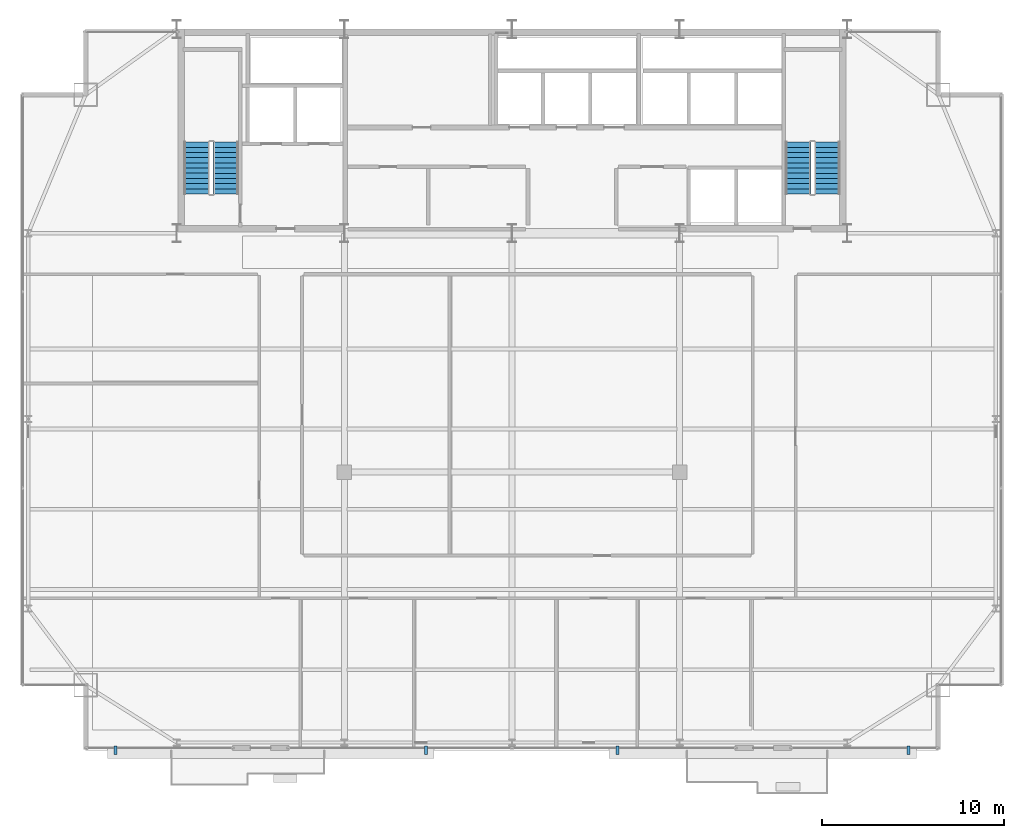
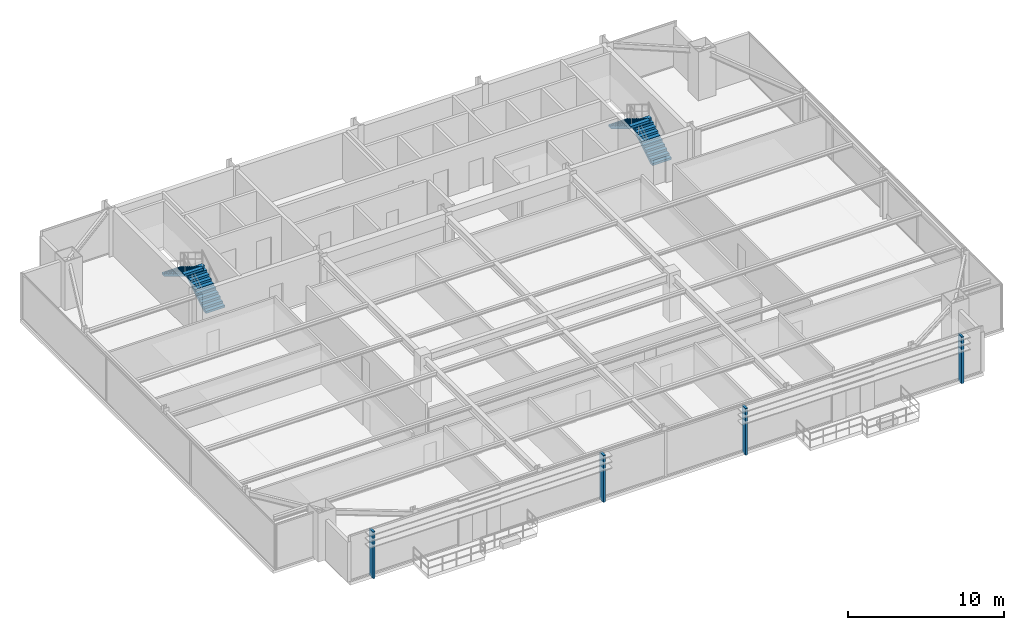
# One storey, part 28 of 30: 4 discrete accessories, 4 stair flights, 2 elements without a shape of their own.
"""IFC4 building model written with IfcOpenShell, lengths in metres."""

import ifcopenshell
import ifcopenshell.guid

model = None  # the IFC model being written
_history = None  # IfcOwnerHistory: only IFC2X3 demands one
_inside = {}  # id of a spatial element -> (the spatial element, [elements in it])
_under = {}  # id of a project, library or spatial element -> (it, [spatial elements below it])
_declared = {}  # id of a project -> (the project, [libraries it declares])
_typed = {}  # id of a type object -> (the type object, [elements of that type])
_made_of = {}  # id of a material, layer set ... -> (it, [elements and type objects made of it])


def new_model(schema):
    """Start an empty IFC model of exactly this schema.

    Asked for "IFC4X3", IfcOpenShell would pick the latest addendum, in which some entities
    have other attributes; the version numbers below select the first issue.
    IFC2X3 requires an IfcOwnerHistory on every rooted entity: one is made here for all.
    """
    global model, _history
    if schema == "IFC4X3":
        model = ifcopenshell.file(schema_version=(4, 3, 0, 0))
    else:
        model = ifcopenshell.file(schema=schema)
    _inside.clear()
    _under.clear()
    _declared.clear()
    _typed.clear()
    _made_of.clear()
    _history = None
    if model.schema == "IFC2X3":
        org = make("IfcOrganization", Name="unknown")
        user = make(
            "IfcPersonAndOrganization",
            ThePerson=make("IfcPerson", FamilyName="unknown"),
            TheOrganization=org,
        )
        app = make(
            "IfcApplication",
            ApplicationDeveloper=org,
            Version="unknown",
            ApplicationFullName="unknown",
            ApplicationIdentifier="unknown",
        )
        _history = make(
            "IfcOwnerHistory",
            OwningUser=user,
            OwningApplication=app,
            ChangeAction="ADDED",
            CreationDate=0,
        )
    return model


def make(cls, **values):
    """One entity of the class cls with the attributes given. An attribute that is None is left unset."""
    return model.create_entity(
        cls, **{name: value for name, value in values.items() if value is not None}
    )


def rooted(cls, **values):
    """An entity with a GlobalId (a new one), such as an element, a storey or a relation."""
    return make(cls, GlobalId=ifcopenshell.guid.new(), OwnerHistory=_history, **values)


def si_unit(unit_type, name, prefix=None):
    """IfcSIUnit, for example si_unit("LENGTHUNIT", "METRE", prefix="MILLI")."""
    return make("IfcSIUnit", UnitType=unit_type, Prefix=prefix, Name=name)


def assignment(units):
    """IfcUnitAssignment: the units of a project."""
    return None if units is None else make("IfcUnitAssignment", Units=units)


def point(xyz):
    """IfcCartesianPoint."""
    return None if xyz is None else make("IfcCartesianPoint", Coordinates=xyz)


def direction(xyz):
    """IfcDirection."""
    return None if xyz is None else make("IfcDirection", DirectionRatios=xyz)


def frame(location, z_axis=None, x_axis=None):
    """IfcAxis2Placement3D, a coordinate frame: its origin and axes. An axis left out is left unset."""
    return make(
        "IfcAxis2Placement3D",
        Location=point(location),
        Axis=direction(z_axis),
        RefDirection=direction(x_axis),
    )


def frame_2d(location, x_axis=None):
    """IfcAxis2Placement2D, a coordinate frame in the plane: its origin and x axis."""
    return make(
        "IfcAxis2Placement2D", Location=point(location), RefDirection=direction(x_axis)
    )


def origin():
    """The frame at (0, 0, 0) with its axes left unset."""
    return frame((0.0, 0.0, 0.0))


def origin_2d():
    """The frame at (0, 0) in the plane with its x axis left unset."""
    return frame_2d((0.0, 0.0))


def place(relative_to, where):
    """IfcLocalPlacement: puts the frame where relative to a parent placement (None: the world)."""
    return make(
        "IfcLocalPlacement", PlacementRelTo=relative_to, RelativePlacement=where
    )


def context(
    kind, dimensions, precision=None, world=None, true_north=None, identifier=None
):
    """IfcGeometricRepresentationContext, for example the 3D "Model" context."""
    return make(
        "IfcGeometricRepresentationContext",
        ContextIdentifier=identifier,
        ContextType=kind,
        CoordinateSpaceDimension=dimensions,
        Precision=precision,
        WorldCoordinateSystem=world,
        TrueNorth=true_north,
    )


def subcontext(parent, identifier, kind, view, scale=None):
    """IfcGeometricRepresentationSubContext, for example "Body" below "Model"."""
    return make(
        "IfcGeometricRepresentationSubContext",
        ContextIdentifier=identifier,
        ContextType=kind,
        ParentContext=parent,
        TargetScale=scale,
        TargetView=view,
    )


def project(units=None, contexts=None):
    """IfcProject with its units and contexts."""
    return rooted(
        "IfcProject",
        Name="project",
        RepresentationContexts=contexts,
        UnitsInContext=assignment(units),
    )


def spatial(cls, under=None, at=None, **own):
    """A site, building, storey or space (cls), placed at a placement, below another one or the project."""
    s = rooted(cls, ObjectPlacement=at, **own)
    if under is not None:
        _under.setdefault(under.id(), (under, []))[1].append(s)
    return s


def polyline(points):
    """IfcPolyline through the points."""
    return make("IfcPolyline", Points=[point(p) for p in points])


def profile(cls, at=None, kind="AREA", **sizes):
    """A parametric profile (cls). Its sizes go by their IFC names, for example OverallWidth=200.0."""
    return make(cls, ProfileType=kind, Position=at, **sizes)


def rectangle(**sizes):
    """IfcRectangleProfileDef."""
    return profile("IfcRectangleProfileDef", **sizes)


def outline(outer, holes=None, kind="AREA"):
    """IfcArbitraryClosedProfileDef: a profile drawn as a closed curve; with holes, ...WithVoids."""
    if holes is None:
        return make("IfcArbitraryClosedProfileDef", ProfileType=kind, OuterCurve=outer)
    return make(
        "IfcArbitraryProfileDefWithVoids",
        ProfileType=kind,
        OuterCurve=outer,
        InnerCurves=holes,
    )


def extrude(swept, where, along, depth):
    """IfcExtrudedAreaSolid: the profile swept, set in the frame where, extruded along a direction by depth."""
    return make(
        "IfcExtrudedAreaSolid",
        SweptArea=swept,
        Position=where,
        ExtrudedDirection=direction(along),
        Depth=depth,
    )


def shape(context_of_items, identifier, shape_type, items):
    """IfcShapeRepresentation: the items that make up one representation, for example the "Body"."""
    return make(
        "IfcShapeRepresentation",
        ContextOfItems=context_of_items,
        RepresentationIdentifier=identifier,
        RepresentationType=shape_type,
        Items=items,
    )


def source(mapping_origin, context_of_items, identifier, shape_type, items):
    """IfcRepresentationMap: a shape defined once, which mapped items show again and again."""
    return make(
        "IfcRepresentationMap",
        MappingOrigin=mapping_origin,
        MappedRepresentation=shape(context_of_items, identifier, shape_type, items),
    )


def transform(
    local_origin,
    x_axis=None,
    y_axis=None,
    z_axis=None,
    scale=None,
    scale2=None,
    scale3=None,
    uniform=True,
):
    """IfcCartesianTransformationOperator3D, or its non-uniform kind. x_axis, y_axis, z_axis: its Axis1, 2, 3."""
    if uniform:
        return make(
            "IfcCartesianTransformationOperator3D",
            Axis1=direction(x_axis),
            Axis2=direction(y_axis),
            LocalOrigin=point(local_origin),
            Scale=scale,
            Axis3=direction(z_axis),
        )
    return make(
        "IfcCartesianTransformationOperator3DnonUniform",
        Axis1=direction(x_axis),
        Axis2=direction(y_axis),
        LocalOrigin=point(local_origin),
        Scale=scale,
        Axis3=direction(z_axis),
        Scale2=scale2,
        Scale3=scale3,
    )


def mapped(mapping_source, mapping_target):
    """IfcMappedItem: shows the shape of a source again, moved by a transform."""
    return make(
        "IfcMappedItem", MappingSource=mapping_source, MappingTarget=mapping_target
    )


def material(Name=None, Category=None):
    """IfcMaterial."""
    return make("IfcMaterial", Name=Name, Category=Category)


def layer(
    of_material, thickness, ventilated=None, Name=None, Category=None, Priority=None
):
    """IfcMaterialLayer: one layer of a wall or slab, of a material (None: an air gap)."""
    return make(
        "IfcMaterialLayer",
        Material=of_material,
        LayerThickness=thickness,
        IsVentilated=ventilated,
        Name=Name,
        Category=Category,
        Priority=Priority,
    )


def layer_set(layers, Name=None):
    """IfcMaterialLayerSet."""
    return make("IfcMaterialLayerSet", MaterialLayers=layers, LayerSetName=Name)


def made_of(thing, what):
    """Note that an element or type object is made of a material, layer set ...; save() writes the relation."""
    if what is not None:
        _made_of.setdefault(what.id(), (what, []))[1].append(thing)
    return thing


def type_object(cls, material=None, **own):
    """A type object (cls), such as IfcWallType, which elements share."""
    return made_of(rooted(cls, **own), material)


def type_shapes(of_type, sources):
    """Give a type object the sources (RepresentationMaps) that its elements show as mapped items."""
    of_type.RepresentationMaps = sources


def element(
    cls,
    number,
    at=None,
    inside=None,
    cuts=None,
    type_object=None,
    material=None,
    context=None,
    identifier="Body",
    shape_type=None,
    held_by="IfcProductDefinitionShape",
    body=None,
    shapes=None,
    **own,
):
    """One element of the class cls, such as IfcWall. Its Tag is "e" and its number.

    at: its placement. inside: the storey or other place that contains it. cuts: it is an
    opening in that element (IfcRelVoidsElement). A single representation is given by context,
    identifier, shape_type and body (its items); several are given by shapes. held_by: the class
    of the entity that holds the representations. save() writes the other relations.
    """
    e = rooted(cls, Tag="e%d" % number, ObjectPlacement=at, **own)
    if body is not None:
        shapes = [shape(context, identifier, shape_type, body)]
    if shapes is not None:
        e.Representation = make(held_by, Representations=shapes)
    if inside is not None:
        _inside.setdefault(inside.id(), (inside, []))[1].append(e)
    if cuts is not None:
        rooted(
            "IfcRelVoidsElement", RelatingBuildingElement=cuts, RelatedOpeningElement=e
        )
    if type_object is not None:
        _typed.setdefault(type_object.id(), (type_object, []))[1].append(e)
    return made_of(e, material)


def aggregate(whole, parts):
    """IfcRelAggregates: a whole, such as a stair, and the parts it consists of."""
    return rooted("IfcRelAggregates", RelatingObject=whole, RelatedObjects=parts)


def save(model, path):
    """Write the relations noted so far, then the file.

    IfcRelAggregates (storeys below a building ...), IfcRelContainedInSpatialStructure (elements
    in a storey), IfcRelDefinesByType, IfcRelAssociatesMaterial and IfcRelDeclares: one each for
    every whole, place, type object, material and project.
    """
    for whole, parts in _under.values():
        aggregate(whole, parts)
    for where, things in _inside.values():
        rooted(
            "IfcRelContainedInSpatialStructure",
            RelatedElements=things,
            RelatingStructure=where,
        )
    for kind, things in _typed.values():
        rooted("IfcRelDefinesByType", RelatedObjects=things, RelatingType=kind)
    for what, things in _made_of.values():
        rooted("IfcRelAssociatesMaterial", RelatedObjects=things, RelatingMaterial=what)
    for by, libraries in _declared.values():
        rooted("IfcRelDeclares", RelatingContext=by, RelatedDefinitions=libraries)
    model.write(path)


model = new_model("IFC4")

# Units and contexts
model_context = context("Model", 3, precision=1e-05, world=origin(), true_north=direction((0.0, 1.0)))
body_context = subcontext(model_context, "Body", "Model", "MODEL_VIEW")
ifc_project = project(units=[si_unit("LENGTHUNIT", "METRE"), si_unit("AREAUNIT", "SQUARE_METRE"), si_unit("VOLUMEUNIT", "CUBIC_METRE"), si_unit("PLANEANGLEUNIT", "RADIAN"), si_unit("MASSUNIT", "GRAM", prefix="KILO")], contexts=[model_context])

# Site, building, storey
site_placement = place(None, origin())
site = spatial("IfcSite", under=ifc_project, at=site_placement, CompositionType="ELEMENT")
building_placement = place(site_placement, origin())
building = spatial("IfcBuilding", under=site, at=building_placement, Name="Varnel Quay Broadcast Tower", CompositionType="ELEMENT")
storey_placement = place(building_placement, frame((0.0, 0.0, 168.60009765625)))
storey = spatial("IfcBuildingStorey", under=building, at=storey_placement, Name="L41", CompositionType="ELEMENT", Elevation=168.60009765625)

# Stair, stair flights
ifc_material_1 = material(Name="Precast Structural Concrete C40/50", Category="concrete")
stair_type_1 = type_object("IfcStairType", Name="Stair_ST-01", PredefinedType="HALF_TURN_STAIR", material=ifc_material_1)
stair_1_placement = place(storey_placement, origin())
stair_1 = element("IfcStair", 1, at=stair_1_placement, inside=storey, type_object=stair_type_1, Name="L41 West Core Exit Stair 1", PredefinedType="HALF_TURN_STAIR")
stair_flight_type_1 = type_object("IfcStairFlightType", Name="Flight_ST-01", PredefinedType="STRAIGHT", material=ifc_material_1)
stair_flight_1_placement = place(storey_placement, frame((18.300048828125, 37.75, 0.0), z_axis=(0.0, 0.0, 1.0), x_axis=(0.0, 1.0, 0.0)))
stair_flight_1 = element("IfcStairFlight", 2, at=stair_flight_1_placement, type_object=stair_flight_type_1, Name="ST-01 flight 1", NumberOfRisers=11, NumberOfTreads=10, PredefinedType="STRAIGHT", RiserHeight=0.172727273, TreadLength=0.285, context=body_context, shape_type="SweptSolid", body=[
    extrude(outline(polyline([(0.0, 0.0), (0.0, 0.172607421875), (0.284912109375, 0.172607421875), (0.284912109375, 0.345458984375), (0.570068359375, 0.345458984375), (0.570068359375, 0.51806640625), (0.85498046875, 0.51806640625), (0.85498046875, 0.69091796875), (1.139892578125, 0.69091796875), (1.139892578125, 0.863525390625), (1.425048828125, 0.863525390625), (1.425048828125, 1.036376953125), (1.7099609375, 1.036376953125), (1.7099609375, 1.208984375), (1.9951171875, 1.208984375), (1.9951171875, 1.3818359375), (2.280029296875, 1.3818359375), (2.280029296875, 1.554443359375), (2.56494140625, 1.554443359375), (2.56494140625, 1.727294921875), (2.85009765625, 1.727294921875), (2.85009765625, 1.89990234375), (2.85009765625, 1.552001953125), (0.289306640625, 0.0), (0.0, 0.0)])), frame((0.0, 0.699951171875, 0.0), z_axis=(0.0, -1.0, 0.0), x_axis=(1.0, 0.0, 0.0)), (0.0, 0.0, 1.0), 1.39990234375),
])
stair_flight_2_placement = place(storey_placement, frame((16.699951171875, 40.60009765625, 1.89990234375), z_axis=(0.0, 0.0, 1.0), x_axis=(0.0, -1.0, 0.0)))
stair_flight_2 = element("IfcStairFlight", 3, at=stair_flight_2_placement, type_object=stair_flight_type_1, Name="ST-01 flight 2", NumberOfRisers=11, NumberOfTreads=10, PredefinedType="STRAIGHT", RiserHeight=0.172727273, TreadLength=0.285, context=body_context, shape_type="SweptSolid", body=[
    extrude(outline(polyline([(0.0, 0.0), (0.0, 0.172607421875), (0.284912109375, 0.172607421875), (0.284912109375, 0.345458984375), (0.570068359375, 0.345458984375), (0.570068359375, 0.51806640625), (0.85498046875, 0.51806640625), (0.85498046875, 0.69091796875), (1.139892578125, 0.69091796875), (1.139892578125, 0.863525390625), (1.425048828125, 0.863525390625), (1.425048828125, 1.036376953125), (1.7099609375, 1.036376953125), (1.7099609375, 1.208984375), (1.9951171875, 1.208984375), (1.9951171875, 1.3818359375), (2.280029296875, 1.3818359375), (2.280029296875, 1.554443359375), (2.56494140625, 1.554443359375), (2.56494140625, 1.727294921875), (2.85009765625, 1.727294921875), (2.85009765625, 1.89990234375), (2.85009765625, 1.552001953125), (0.289306640625, 0.0), (0.0, 0.0)])), frame((0.0, 0.699951171875, 0.0), z_axis=(0.0, -1.0, 0.0), x_axis=(1.0, 0.0, 0.0)), (0.0, 0.0, 1.0), 1.39990234375),
])
aggregate(stair_1, [stair_flight_1, stair_flight_2])

stair_type_2 = type_object("IfcStairType", Name="Stair_ST-02", PredefinedType="HALF_TURN_STAIR", material=ifc_material_1)
stair_2_placement = place(storey_placement, origin())
stair_2 = element("IfcStair", 4, at=stair_2_placement, inside=storey, type_object=stair_type_2, Name="L41 East Core Exit Stair 2", PredefinedType="HALF_TURN_STAIR")
stair_flight_type_2 = type_object("IfcStairFlightType", Name="Flight_ST-02", PredefinedType="STRAIGHT", material=ifc_material_1)
stair_flight_3_placement = place(storey_placement, frame((51.300048828125, 37.75, 0.0), z_axis=(0.0, 0.0, 1.0), x_axis=(0.0, 1.0, 0.0)))
stair_flight_3 = element("IfcStairFlight", 5, at=stair_flight_3_placement, type_object=stair_flight_type_2, Name="ST-02 flight 1", NumberOfRisers=11, NumberOfTreads=10, PredefinedType="STRAIGHT", RiserHeight=0.172727273, TreadLength=0.285, context=body_context, shape_type="SweptSolid", body=[
    extrude(outline(polyline([(0.0, 0.0), (0.0, 0.172607421875), (0.284912109375, 0.172607421875), (0.284912109375, 0.345458984375), (0.570068359375, 0.345458984375), (0.570068359375, 0.51806640625), (0.85498046875, 0.51806640625), (0.85498046875, 0.69091796875), (1.139892578125, 0.69091796875), (1.139892578125, 0.863525390625), (1.425048828125, 0.863525390625), (1.425048828125, 1.036376953125), (1.7099609375, 1.036376953125), (1.7099609375, 1.208984375), (1.9951171875, 1.208984375), (1.9951171875, 1.3818359375), (2.280029296875, 1.3818359375), (2.280029296875, 1.554443359375), (2.56494140625, 1.554443359375), (2.56494140625, 1.727294921875), (2.85009765625, 1.727294921875), (2.85009765625, 1.89990234375), (2.85009765625, 1.552001953125), (0.289306640625, 0.0), (0.0, 0.0)])), frame((0.0, 0.699951171875, 0.0), z_axis=(0.0, -1.0, 0.0), x_axis=(1.0, 0.0, 0.0)), (0.0, 0.0, 1.0), 1.39990234375),
])
stair_flight_4_placement = place(storey_placement, frame((49.699951171875, 40.60009765625, 1.89990234375), z_axis=(0.0, 0.0, 1.0), x_axis=(0.0, -1.0, 0.0)))
stair_flight_4 = element("IfcStairFlight", 6, at=stair_flight_4_placement, type_object=stair_flight_type_2, Name="ST-02 flight 2", NumberOfRisers=11, NumberOfTreads=10, PredefinedType="STRAIGHT", RiserHeight=0.172727273, TreadLength=0.285, context=body_context, shape_type="SweptSolid", body=[
    extrude(outline(polyline([(0.0, 0.0), (0.0, 0.172607421875), (0.284912109375, 0.172607421875), (0.284912109375, 0.345458984375), (0.570068359375, 0.345458984375), (0.570068359375, 0.51806640625), (0.85498046875, 0.51806640625), (0.85498046875, 0.69091796875), (1.139892578125, 0.69091796875), (1.139892578125, 0.863525390625), (1.425048828125, 0.863525390625), (1.425048828125, 1.036376953125), (1.7099609375, 1.036376953125), (1.7099609375, 1.208984375), (1.9951171875, 1.208984375), (1.9951171875, 1.3818359375), (2.280029296875, 1.3818359375), (2.280029296875, 1.554443359375), (2.56494140625, 1.554443359375), (2.56494140625, 1.727294921875), (2.85009765625, 1.727294921875), (2.85009765625, 1.89990234375), (2.85009765625, 1.552001953125), (0.289306640625, 0.0), (0.0, 0.0)])), frame((0.0, 0.699951171875, 0.0), z_axis=(0.0, -1.0, 0.0), x_axis=(1.0, 0.0, 0.0)), (0.0, 0.0, 1.0), 1.39990234375),
])
aggregate(stair_2, [stair_flight_3, stair_flight_4])

# Discrete accessories
ifc_material_2 = material(Name="Anodised Bronze Aluminium 6063-T6", Category="aluminium")
ifc_layer = layer(ifc_material_2, 0.47998046875, Name="Anodised Bronze Aluminium 6063-T6")
ifc_layer_set = layer_set([ifc_layer], Name="Anodised Bronze Aluminium 6063-T6")
discrete_accessory_type = type_object("IfcDiscreteAccessoryType", Name="Acc_FacadeBracket", PredefinedType="BRACKET", material=ifc_layer_set)
shared_shape = source(origin(), body_context, "Body", "SweptSolid", [
    extrude(rectangle(XDim=0.159912109375, YDim=0.47998046875, at=origin_2d()), origin(), (0.0, 0.0, 1.0), 3.64990234375),
])
type_shapes(discrete_accessory_type, [shared_shape])
for number, where, z_axis, x_axis, name in (
    (7, (12.25, 7.219970703125, -0.150146484375), (0.0, 0.0, 1.0), (1.0, 0.0, 0.0), "L41 Lobe 1 Louvre Support Bracket 1"),
    (8, (29.279052734375, 7.219970703125, -0.150146484375), (0.0, 0.0, 1.0), (1.0, 0.0, 0.0), "L41 Lobe 1 Louvre Support Bracket 2"),
    (9, (39.779052734375, 7.219970703125, -0.150146484375), (0.0, 0.0, 1.0), (1.0, 0.0, 0.0), "L41 Lobe 2 Louvre Support Bracket 1"),
    (10, (55.75, 7.219970703125, -0.150146484375), (0.0, 0.0, 1.0), (1.0, 0.0, 0.0), "L41 Lobe 2 Louvre Support Bracket 2"),
):
    element("IfcDiscreteAccessory", number, at=place(storey_placement, frame(where, z_axis=z_axis, x_axis=x_axis)), inside=storey, type_object=discrete_accessory_type, Name=name, PredefinedType="BRACKET", context=body_context, shape_type="MappedRepresentation", body=[
        mapped(shared_shape, transform((0.0, 0.0, 0.0), x_axis=(1.0, 0.0, 0.0), y_axis=(0.0, 1.0, 0.0), z_axis=(0.0, 0.0, 1.0), scale=1.0)),
    ])

save(model, "model.ifc")
